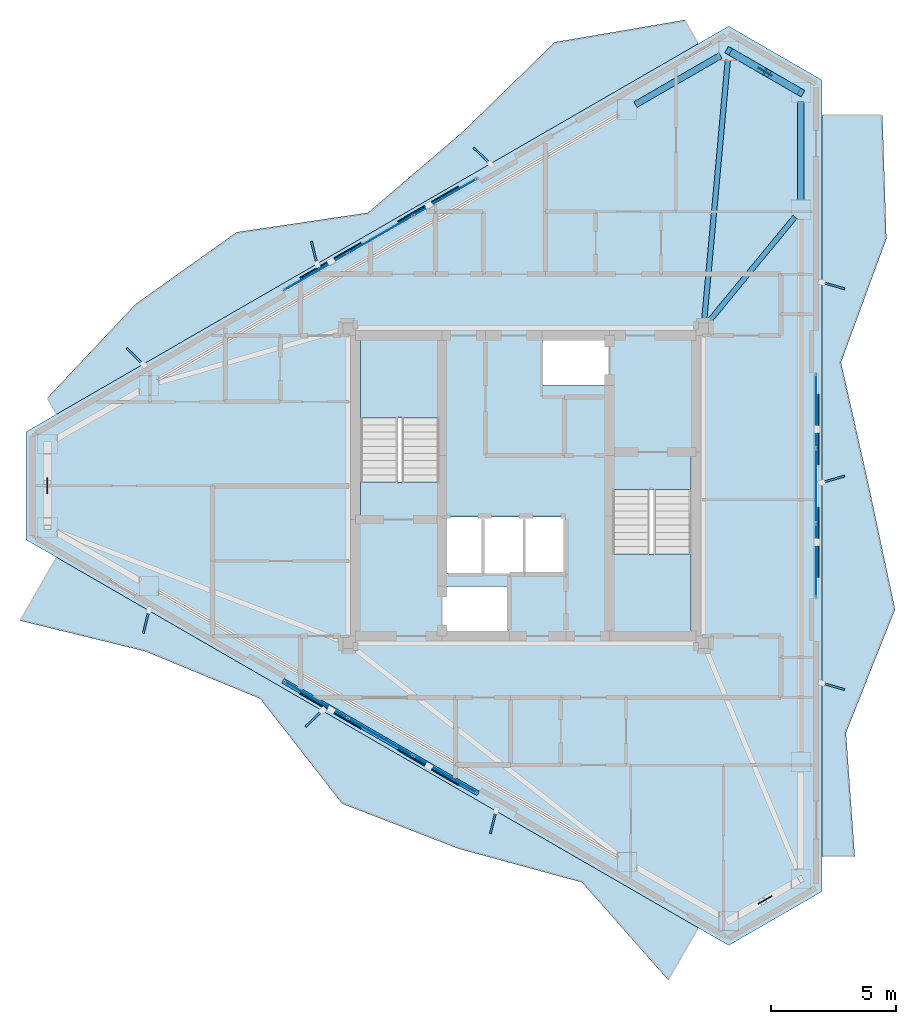
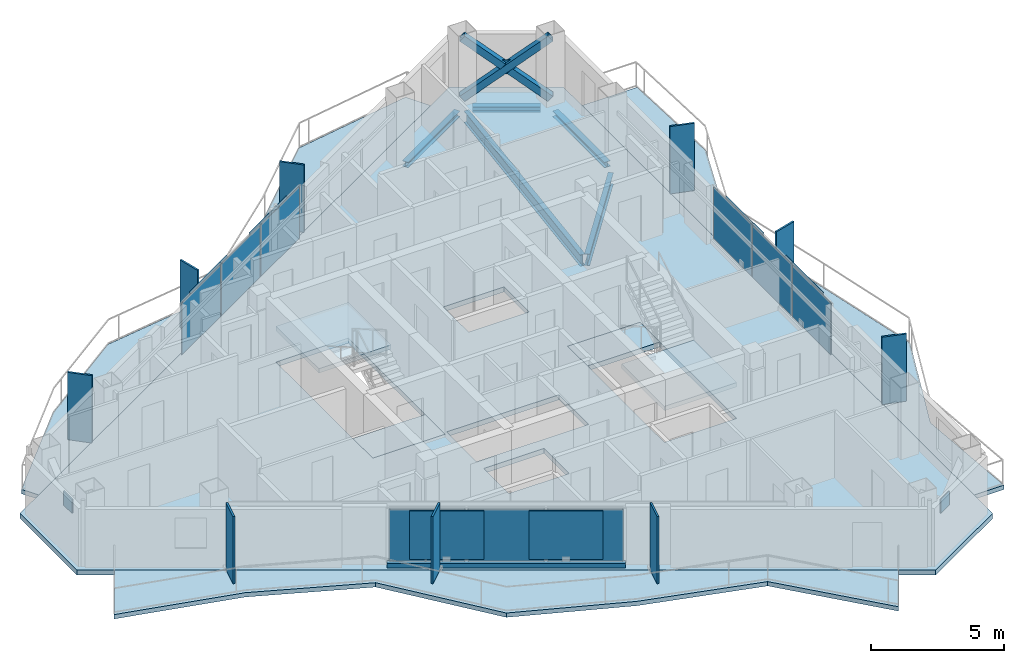
# One storey, part 15 of 22: 27 plates, 8 slabs, 5 beams, 3 members, 1 wall, 5 elements without a shape of their own.
"""IFC4 building model written with IfcOpenShell, lengths in metres."""

from ifc_helpers import new_model, si_unit, direction, frame, frame_2d, origin, origin_2d, place, context, subcontext, project, spatial, polyline, rectangle, hollow_rectangle, i_section, outline, extrude, material, layer, layer_set, material_profile, profile_set, type_object, element, aggregate, save


model = new_model("IFC4")

# Units and contexts
model_context = context("Model", 3, precision=1e-05, world=origin(), true_north=direction((0.0, 1.0)))
body_context = subcontext(model_context, "Body", "Model", "MODEL_VIEW")
ifc_project = project(units=[si_unit("LENGTHUNIT", "METRE"), si_unit("AREAUNIT", "SQUARE_METRE"), si_unit("VOLUMEUNIT", "CUBIC_METRE"), si_unit("PLANEANGLEUNIT", "RADIAN"), si_unit("MASSUNIT", "GRAM", prefix="KILO")], contexts=[model_context])

# Site, building, storey
site_placement = place(None, origin())
site = spatial("IfcSite", under=ifc_project, at=site_placement, CompositionType="ELEMENT")
building_placement = place(site_placement, origin())
building = spatial("IfcBuilding", under=site, at=building_placement, Name="Mersakhor Tower and Convention Hall", CompositionType="ELEMENT")
storey_placement = place(building_placement, frame((0.0, 0.0, 195.300048828125)))
storey = spatial("IfcBuildingStorey", under=building, at=storey_placement, Name="L54", CompositionType="ELEMENT", Elevation=195.300048828125)

# Beams
ifc_material_1 = material(Name="Steel S355", Category="steel")
ifc_material_profile_1 = material_profile(ifc_material_1, i_section(OverallWidth=0.2099609375, OverallDepth=0.53662109375, WebThickness=0.0107421875, FlangeThickness=0.017333984375, at=origin_2d()), Name="UB 533x210x101")
ifc_profile_set_1 = profile_set([ifc_material_profile_1], Name="Steel S355")
beam_type_1 = type_object("IfcBeamType", Name="BM-FB-533", PredefinedType="BEAM", material=ifc_profile_set_1)
beam_1_placement = place(storey_placement, frame((36.125244140625, 33.328857421875, -0.49853515625), z_axis=(0.090367269821, 0.99590850812, 0.0), x_axis=(-0.99590850812, 0.090367269821, 0.0)))
element("IfcBeam", 1, at=beam_1_placement, inside=storey, type_object=beam_type_1, Name="L54 Primary Floor Girder FG-2", PredefinedType="BEAM", context=body_context, shape_type="SweptSolid", body=[
    extrude(i_section(OverallWidth=0.2099609375, OverallDepth=0.53662109375, WebThickness=0.0107421875, FlangeThickness=0.017333984375, at=origin_2d()), origin(), (0.0, 0.0, 1.0), 10.45263671875),
])
beam_2_placement = place(storey_placement, frame((36.278076171875, 33.26611328125, -0.49853515625), z_axis=(0.635588076211, 0.772028365657, 0.0), x_axis=(-0.772028365657, 0.635588076211, 0.0)))
element("IfcBeam", 2, at=beam_2_placement, inside=storey, type_object=beam_type_1, Name="L54 Primary Floor Girder FG-3", PredefinedType="BEAM", context=body_context, shape_type="SweptSolid", body=[
    extrude(i_section(OverallWidth=0.2099609375, OverallDepth=0.53662109375, WebThickness=0.0107421875, FlangeThickness=0.017333984375, at=origin_2d()), origin(), (0.0, 0.0, 1.0), 5.45751953125),
])
ifc_material_2 = material(Name="Steel S355", Category="steel")
ifc_material_profile_2 = material_profile(ifc_material_2, i_section(OverallWidth=0.25634765625, OverallDepth=0.26025390625, WebThickness=0.01025390625, FlangeThickness=0.017333984375, at=origin_2d()), Name="UC 254x254x89")
ifc_profile_set_2 = profile_set([ifc_material_profile_2], Name="Steel S355")
beam_type_2 = type_object("IfcBeamType", Name="BM-SPD-UC254", PredefinedType="SPANDREL", material=ifc_profile_set_2)
beam_3_placement = place(storey_placement, frame((33.380859375, 41.967529296875, -0.360107421875), z_axis=(0.866007153761, 0.500031608635, 0.0), x_axis=(-0.500031608635, 0.866007153761, 0.0)))
element("IfcBeam", 3, at=beam_3_placement, inside=storey, type_object=beam_type_2, Name="L54 Perimeter Spandrel Beam SPB-03", PredefinedType="SPANDREL", context=body_context, shape_type="SweptSolid", body=[
    extrude(i_section(OverallWidth=0.25634765625, OverallDepth=0.26025390625, WebThickness=0.01025390625, FlangeThickness=0.017333984375, at=origin_2d()), origin(), (0.0, 0.0, 1.0), 3.919189453125),
])
beam_4_placement = place(storey_placement, frame((37.43310546875, 43.92724609375, -0.360107421875), z_axis=(0.866036909293, -0.499980071345, 0.0), x_axis=(0.499980071345, 0.866036909293, 0.0)))
element("IfcBeam", 4, at=beam_4_placement, inside=storey, type_object=beam_type_2, Name="L54 Perimeter Spandrel Beam SPB-04", PredefinedType="SPANDREL", context=body_context, shape_type="SweptSolid", body=[
    extrude(i_section(OverallWidth=0.25634765625, OverallDepth=0.26025390625, WebThickness=0.01025390625, FlangeThickness=0.017333984375, at=origin_2d()), origin(), (0.0, 0.0, 1.0), 2.5703125),
])
beam_5_placement = place(storey_placement, frame((39.98828125, 42.072021484375, -0.360107421875), z_axis=(0.0, -1.0, 0.0), x_axis=(1.0, 0.0, 0.0)))
element("IfcBeam", 5, at=beam_5_placement, inside=storey, type_object=beam_type_2, Name="L54 Perimeter Spandrel Beam SPB-05", PredefinedType="SPANDREL", context=body_context, shape_type="SweptSolid", body=[
    extrude(i_section(OverallWidth=0.25634765625, OverallDepth=0.26025390625, WebThickness=0.01025390625, FlangeThickness=0.017333984375, at=origin_2d()), origin(), (0.0, 0.0, 1.0), 3.919189453125),
])

# Members
ifc_material_3 = material(Name="Steel S355", Category="steel")
ifc_material_profile_3 = material_profile(ifc_material_3, hollow_rectangle(XDim=0.300048828125, YDim=0.300048828125, WallThickness=0.01611328125, at=origin_2d()), Name="SHS 300x300x16")
ifc_profile_set_3 = profile_set([ifc_material_profile_3], Name="Steel S355")
member_type = type_object("IfcMemberType", Name="MB-BRC-SHS300", PredefinedType="BRACE", material=ifc_profile_set_3)
member_placement = place(storey_placement, frame((37.10400390625, 44.1171875, 0.14990234375), z_axis=(0.665824923443, -0.384424564314, 0.639448923429), x_axis=(0.50001011158, 0.866019565782, 0.0)))
element("IfcMember", 6, at=member_placement, inside=storey, type_object=member_type, Name="L54 Chamfer Braced Frame Diagonal CB-1A", PredefinedType="BRACE", context=body_context, shape_type="SweptSolid", body=[
    extrude(hollow_rectangle(XDim=0.300048828125, YDim=0.300048828125, WallThickness=0.01611328125, at=origin_2d()), origin(), (0.0, 0.0, 1.0), 4.331787109375),
])
for number, where, z_axis, x_axis, name in (
    (7, (39.98828125, 42.451904296875, 0.14990234375), (-0.665711462011, 0.384476371073, 0.639535901599), (-0.500124558158, -0.865953478154, 0.0), "L54 Chamfer Braced Frame Diagonal CB-1B Lower Half"),
    (8, (38.439208984375, 43.34619140625, 1.6376953125), (-0.665831077073, 0.384475140135, 0.639412107659), (-0.50005597947, -0.86599308161, 0.0), "L54 Chamfer Braced Frame Diagonal CB-1B Upper Half"),
):
    element("IfcMember", number, at=place(storey_placement, frame(where, z_axis=z_axis, x_axis=x_axis)), inside=storey, type_object=member_type, Name=name, PredefinedType="BRACE", context=body_context, shape_type="SweptSolid", body=[
        extrude(hollow_rectangle(XDim=0.300048828125, YDim=0.300048828125, WallThickness=0.01611328125, at=origin_2d()), origin(), (0.0, 0.0, 1.0), 2.00537109375),
    ])

# Curtain wall, plates
ifc_material_4 = material(Name="Dark solar low-E aluminium curtain wall", Category="aluminium")
ifc_layer_1 = layer(ifc_material_4, 0.169921875)
ifc_layer_set_1 = layer_set([ifc_layer_1], Name="Dark solar low-E aluminium curtain wall")
curtain_wall_type = type_object("IfcCurtainWallType", Name="CW-SYS-02", PredefinedType="USERDEFINED", material=ifc_layer_set_1)
curtain_wall_1_placement = place(storey_placement, origin())
curtain_wall_1 = element("IfcCurtainWall", 9, at=curtain_wall_1_placement, inside=storey, type_object=curtain_wall_type, Name="L54 Dark-Glass Curtain Wall F1-B2", ObjectType="CURTAIN WALL", PredefinedType="USERDEFINED")
ifc_material_5 = material(Name="Dark solar double glazing", Category="glass")
ifc_layer_2 = layer(ifc_material_5, 0.028076171875)
ifc_layer_set_2 = layer_set([ifc_layer_2], Name="Dark solar double glazing")
plate_type_1 = type_object("IfcPlateType", Name="CWP-GLZ-28", PredefinedType="CURTAIN_PANEL", material=ifc_layer_set_2)
plate_1_placement = place(storey_placement, frame((20.624267578125, 35.29541015625, 0.260009765625), z_axis=(0.0, 0.0, 1.0), x_axis=(0.86602088627, 0.500007824483, 0.0)))
plate_1 = element("IfcPlate", 10, at=plate_1_placement, type_object=plate_type_1, Name="CW-02 panel 1.1", PredefinedType="CURTAIN_PANEL", context=body_context, shape_type="SweptSolid", body=[
    extrude(rectangle(XDim=2.88720703125, YDim=0.028076171875, at=origin_2d()), origin(), (0.0, 0.0, 1.0), 2.3701171875),
])
plate_2_placement = place(storey_placement, frame((23.205810546875, 36.785888671875, 0.260009765625), z_axis=(0.0, 0.0, 1.0), x_axis=(0.86602088627, 0.500007824483, 0.0)))
plate_2 = element("IfcPlate", 11, at=plate_2_placement, type_object=plate_type_1, Name="CW-02 panel 2.1", PredefinedType="CURTAIN_PANEL", context=body_context, shape_type="SweptSolid", body=[
    extrude(rectangle(XDim=2.924560546875, YDim=0.028076171875, at=origin_2d()), origin(), (0.0, 0.0, 1.0), 2.3701171875),
])
plate_3_placement = place(storey_placement, frame((25.787353515625, 38.2763671875, 0.260009765625), z_axis=(0.0, 0.0, 1.0), x_axis=(0.86602088627, 0.500007824483, 0.0)))
plate_3 = element("IfcPlate", 12, at=plate_3_placement, type_object=plate_type_1, Name="CW-02 panel 3.1", PredefinedType="CURTAIN_PANEL", context=body_context, shape_type="SweptSolid", body=[
    extrude(rectangle(XDim=2.88720703125, YDim=0.028076171875, at=origin_2d()), origin(), (0.0, 0.0, 1.0), 2.3701171875),
])
aggregate(curtain_wall_1, [plate_1, plate_2, plate_3])

curtain_wall_2_placement = place(storey_placement, origin())
curtain_wall_2 = element("IfcCurtainWall", 13, at=curtain_wall_2_placement, inside=storey, type_object=curtain_wall_type, Name="L54 Dark-Glass Curtain Wall F2-B2", ObjectType="CURTAIN WALL", PredefinedType="USERDEFINED")
plate_4_placement = place(storey_placement, frame((40.58837890625, 29.73095703125, 0.260009765625), z_axis=(0.0, 0.0, 1.0), x_axis=(0.0, -1.0, 0.0)))
plate_4 = element("IfcPlate", 14, at=plate_4_placement, type_object=plate_type_1, Name="CW-02 panel 1.1", PredefinedType="CURTAIN_PANEL", context=body_context, shape_type="SweptSolid", body=[
    extrude(rectangle(XDim=2.88720703125, YDim=0.028076171875, at=origin_2d()), origin(), (0.0, 0.0, 1.0), 2.3701171875),
])
plate_5_placement = place(storey_placement, frame((40.58837890625, 26.75, 0.260009765625), z_axis=(0.0, 0.0, 1.0), x_axis=(0.0, -1.0, 0.0)))
plate_5 = element("IfcPlate", 15, at=plate_5_placement, type_object=plate_type_1, Name="CW-02 panel 2.1", PredefinedType="CURTAIN_PANEL", context=body_context, shape_type="SweptSolid", body=[
    extrude(rectangle(XDim=2.924560546875, YDim=0.028076171875, at=origin_2d()), origin(), (0.0, 0.0, 1.0), 2.3701171875),
])
plate_6_placement = place(storey_placement, frame((40.58837890625, 23.76904296875, 0.260009765625), z_axis=(0.0, 0.0, 1.0), x_axis=(0.0, -1.0, 0.0)))
plate_6 = element("IfcPlate", 16, at=plate_6_placement, type_object=plate_type_1, Name="CW-02 panel 3.1", PredefinedType="CURTAIN_PANEL", context=body_context, shape_type="SweptSolid", body=[
    extrude(rectangle(XDim=2.88720703125, YDim=0.028076171875, at=origin_2d()), origin(), (0.0, 0.0, 1.0), 2.3701171875),
])
aggregate(curtain_wall_2, [plate_4, plate_5, plate_6])

curtain_wall_3_placement = place(storey_placement, origin())
curtain_wall_3 = element("IfcCurtainWall", 17, at=curtain_wall_3_placement, inside=storey, type_object=curtain_wall_type, Name="L54 Dark-Glass Curtain Wall F3-B2", ObjectType="CURTAIN WALL", PredefinedType="USERDEFINED")
plate_7_placement = place(storey_placement, frame((25.787353515625, 15.2236328125, 0.260009765625), z_axis=(0.0, 0.0, 1.0), x_axis=(-0.86602088627, 0.500007824483, 0.0)))
plate_7 = element("IfcPlate", 18, at=plate_7_placement, type_object=plate_type_1, Name="CW-02 panel 1.1", PredefinedType="CURTAIN_PANEL", context=body_context, shape_type="SweptSolid", body=[
    extrude(rectangle(XDim=2.88720703125, YDim=0.028076171875, at=origin_2d()), origin(), (0.0, 0.0, 1.0), 2.3701171875),
])
plate_8_placement = place(storey_placement, frame((23.205810546875, 16.714111328125, 0.260009765625), z_axis=(0.0, 0.0, 1.0), x_axis=(-0.86602088627, 0.500007824483, 0.0)))
plate_8 = element("IfcPlate", 19, at=plate_8_placement, type_object=plate_type_1, Name="CW-02 panel 2.1", PredefinedType="CURTAIN_PANEL", context=body_context, shape_type="SweptSolid", body=[
    extrude(rectangle(XDim=2.924560546875, YDim=0.028076171875, at=origin_2d()), origin(), (0.0, 0.0, 1.0), 2.3701171875),
])
plate_9_placement = place(storey_placement, frame((20.624267578125, 18.20458984375, 0.260009765625), z_axis=(0.0, 0.0, 1.0), x_axis=(-0.86602088627, 0.500007824483, 0.0)))
plate_9 = element("IfcPlate", 20, at=plate_9_placement, type_object=plate_type_1, Name="CW-02 panel 3.1", PredefinedType="CURTAIN_PANEL", context=body_context, shape_type="SweptSolid", body=[
    extrude(rectangle(XDim=2.88720703125, YDim=0.028076171875, at=origin_2d()), origin(), (0.0, 0.0, 1.0), 2.3701171875),
])
aggregate(curtain_wall_3, [plate_7, plate_8, plate_9])

# Plates
ifc_material_6 = material(Name="Ceramic-clad aluminium Zone 4 terracotta-coral", Category="masonry")
ifc_material_7 = material(Name="Ceramic-clad aluminium Zone 1 cobalt-slate", Category="masonry")
ifc_layer_3 = layer(ifc_material_7, 0.080078125)
ifc_layer_set_3 = layer_set([ifc_layer_3], Name="Ceramic-clad aluminium Zone 1 cobalt-slate")
plate_type_2 = type_object("IfcPlateType", Name="PL-FIN-80", PredefinedType="USERDEFINED", material=ifc_layer_set_3)
for number, where, z_axis, x_axis, name in (
    (21, (13.40234375, 31.918701171875, 0.0), (0.0, 0.0, 1.0), (-0.719339800339, 0.694658370459, 0.0), "L54 Zone 4 Coloured Brise-Soleil Fin F1-1"),
    (22, (20.557373046875, 36.049560546875, 0.0), (0.0, 0.0, 1.0), (-0.2419218956, 0.970295726276, 0.0), "L54 Zone 4 Coloured Brise-Soleil Fin F1-2"),
    (23, (27.2587890625, 39.918701171875, 0.0), (0.0, 0.0, 1.0), (-0.719339800339, 0.694658370459, 0.0), "L54 Zone 4 Coloured Brise-Soleil Fin F1-3"),
    (24, (41.27490234375, 34.7451171875, 0.0), (0.0, 0.0, 1.0), (0.961261695938, -0.275637355817, 0.0), "L54 Zone 4 Coloured Brise-Soleil Fin F2-1"),
    (25, (41.27490234375, 27.007080078125, 0.0), (0.0, 0.0, 1.0), (0.961261695938, 0.275637355817, 0.0), "L54 Zone 4 Coloured Brise-Soleil Fin F2-2"),
    (26, (41.27490234375, 18.7451171875, 0.0), (0.0, 0.0, 1.0), (0.961261695938, -0.275637355817, 0.0), "L54 Zone 4 Coloured Brise-Soleil Fin F2-3"),
    (27, (27.703857421875, 13.324462890625, 0.0), (0.0, 0.0, 1.0), (-0.2419218956, -0.970295726276, 0.0), "L54 Zone 4 Coloured Brise-Soleil Fin F3-1"),
    (28, (20.548828125, 17.455322265625, 0.0), (0.0, 0.0, 1.0), (-0.719339800339, -0.694658370459, 0.0), "L54 Zone 4 Coloured Brise-Soleil Fin F3-2"),
    (29, (13.847412109375, 21.324462890625, 0.0), (0.0, 0.0, 1.0), (-0.2419218956, -0.970295726276, 0.0), "L54 Zone 4 Coloured Brise-Soleil Fin F3-3"),
):
    element("IfcPlate", number, at=place(storey_placement, frame(where, z_axis=z_axis, x_axis=x_axis)), inside=storey, type_object=plate_type_2, material=ifc_material_6, Name=name, ObjectType="FIN", PredefinedType="USERDEFINED", context=body_context, shape_type="SweptSolid", body=[
        extrude(rectangle(XDim=0.949951171875, YDim=0.080078125, at=origin_2d()), origin(), (0.0, 0.0, 1.0), 3.10009765625),
    ])
ifc_material_8 = material(Name="Steel S460", Category="steel")
ifc_layer_4 = layer(ifc_material_8, 0.0400390625)
ifc_layer_set_4 = layer_set([ifc_layer_4], Name="Steel S460")
plate_type_3 = type_object("IfcPlateType", Name="PL-GUSSET-40", PredefinedType="SHEET", material=ifc_layer_set_4)
for number, where, z_axis, x_axis, name in (
    (30, (38.54638671875, 43.28466796875, 1.21484375), (0.0, 0.0, 1.0), (-0.866025403784, 0.5, 0.0), "L54 X-Brace Crossing Gusset Node Plate"),
    (31, (38.54638671875, 10.21533203125, 1.21484375), (0.0, 0.0, 1.0), (0.866025403784, 0.5, 0.0), "L54 X-Brace Crossing Gusset Node Plate"),
    (32, (9.907470703125, 26.75, 1.21484375), (0.0, 0.0, 1.0), (0.0, -1.0, 0.0), "L54 X-Brace Crossing Gusset Node Plate"),
):
    element("IfcPlate", number, at=place(storey_placement, frame(where, z_axis=z_axis, x_axis=x_axis)), inside=storey, type_object=plate_type_3, Name=name, PredefinedType="SHEET", context=body_context, shape_type="SweptSolid", body=[
        extrude(rectangle(XDim=0.639892578125, YDim=0.0400390625, at=origin_2d()), origin(), (0.0, 0.0, 1.0), 0.639892578125),
    ])
ifc_material_9 = material(Name="Perforated ceramic cobogo solar screen", Category="aluminium")
ifc_layer_5 = layer(ifc_material_9, 0.048095703125)
ifc_layer_set_5 = layer_set([ifc_layer_5], Name="Perforated ceramic cobogo solar screen")
plate_type_4 = type_object("IfcPlateType", Name="PL-SCR-48", PredefinedType="USERDEFINED", material=ifc_layer_set_5)
for number, where, z_axis, x_axis, name in (
    (33, (21.21044921875, 35.742431640625, 0.39990234375), (0.0, 0.0, 1.0), (0.866025403784, 0.5, 0.0), "L54 Perforated Ceramic Solar Screen F1-1"),
    (34, (25.107177734375, 37.9921875, 0.39990234375), (0.0, 0.0, 1.0), (0.866025403784, 0.5, 0.0), "L54 Perforated Ceramic Solar Screen F1-2"),
    (35, (40.682373046875, 28.999755859375, 0.39990234375), (0.0, 0.0, 1.0), (0.0, -1.0, 0.0), "L54 Perforated Ceramic Solar Screen F2-1"),
    (36, (40.682373046875, 24.500244140625, 0.39990234375), (0.0, 0.0, 1.0), (0.0, -1.0, 0.0), "L54 Perforated Ceramic Solar Screen F2-2"),
    (37, (25.107177734375, 15.5078125, 0.39990234375), (0.0, 0.0, 1.0), (-0.866025403784, 0.5, 0.0), "L54 Perforated Ceramic Solar Screen F3-1"),
    (38, (21.21044921875, 17.757568359375, 0.39990234375), (0.0, 0.0, 1.0), (-0.866025403784, 0.5, 0.0), "L54 Perforated Ceramic Solar Screen F3-2"),
):
    element("IfcPlate", number, at=place(storey_placement, frame(where, z_axis=z_axis, x_axis=x_axis)), inside=storey, type_object=plate_type_4, Name=name, ObjectType="SCREEN", PredefinedType="USERDEFINED", context=body_context, shape_type="SweptSolid", body=[
        extrude(rectangle(XDim=2.800048828125, YDim=0.048095703125, at=origin_2d()), origin(), (0.0, 0.0, 1.0), 2.239990234375),
    ])

# Slabs
ifc_material_10 = material(Name="Concrete C45/55", Category="concrete")
ifc_layer_6 = layer(ifc_material_10, 0.199951171875)
ifc_layer_set_6 = layer_set([ifc_layer_6], Name="Concrete C45/55")
slab_type_1 = type_object("IfcSlabType", Name="SL-BAL-200", PredefinedType="FLOOR", material=ifc_layer_set_6)
slab_1_placement = place(storey_placement, frame((0.0, 0.0, -0.199951171875)))
element("IfcSlab", 39, at=slab_1_placement, inside=storey, type_object=slab_type_1, Name="L54 Sinusoidal Balcony Slab Face 1", PredefinedType="FLOOR", context=body_context, shape_type="SweptSolid", body=[
    extrude(outline(polyline([(10.27001953125, 29.60595703125), (35.8916015625, 44.398681640625), (35.344482421875, 45.346435546875), (30.161376953125, 44.4619140625), (26.5166015625, 40.9130859375), (22.705810546875, 37.65185546875), (17.460205078125, 36.875732421875), (13.424072265625, 34.0048828125), (9.89501953125, 30.255615234375), (10.27001953125, 29.60595703125)])), origin(), (0.0, 0.0, 1.0), 0.199951171875),
])
slab_2_placement = place(storey_placement, frame((0.0, 0.0, -0.199951171875)))
element("IfcSlab", 40, at=slab_2_placement, inside=storey, type_object=slab_type_1, Name="L54 Sinusoidal Balcony Slab Face 2", PredefinedType="FLOOR", context=body_context, shape_type="SweptSolid", body=[
    extrude(outline(polyline([(40.83837890625, 41.542724609375), (40.83837890625, 11.957275390625), (42.139892578125, 11.957275390625), (41.786865234375, 16.88818359375), (43.74560546875, 21.819091796875), (42.6982421875, 26.75), (41.58837890625, 31.680908203125), (43.40087890625, 36.61181640625), (43.243408203125, 41.542724609375), (40.83837890625, 41.542724609375)])), origin(), (0.0, 0.0, 1.0), 0.199951171875),
])
slab_3_placement = place(storey_placement, frame((0.0, 0.0, -0.199951171875)))
element("IfcSlab", 41, at=slab_3_placement, inside=storey, type_object=slab_type_1, Name="L54 Sinusoidal Balcony Slab Face 3", PredefinedType="FLOOR", context=body_context, shape_type="SweptSolid", body=[
    extrude(outline(polyline([(35.8916015625, 9.101318359375), (10.27001953125, 23.89404296875), (8.809814453125, 21.365234375), (13.799560546875, 20.145751953125), (18.398681640625, 18.249755859375), (21.672607421875, 14.058349609375), (26.326416015625, 12.257568359375), (31.246337890625, 10.917236328125), (34.689208984375, 7.0185546875), (35.8916015625, 9.101318359375)])), origin(), (0.0, 0.0, 1.0), 0.199951171875),
])
ifc_material_11 = material(Name="Concrete C40/50", Category="concrete")
ifc_layer_7 = layer(ifc_material_11, 0.22998046875)
ifc_layer_set_7 = layer_set([ifc_layer_7], Name="Concrete C40/50")
slab_type_2 = type_object("IfcSlabType", Name="SL-FLR-230", PredefinedType="FLOOR", material=ifc_layer_set_7)
slab_4_placement = place(storey_placement, frame((0.0, 0.0, -0.22998046875)))
element("IfcSlab", 42, at=slab_4_placement, inside=storey, type_object=slab_type_2, Name="L54 ST-1 Structural Stair Floor Landing", PredefinedType="LANDING", context=body_context, shape_type="SweptSolid", body=[
    extrude(outline(polyline([(25.550048828125, 25.39990234375), (25.550048828125, 26.89990234375), (22.39990234375, 26.89990234375), (22.39990234375, 25.39990234375), (25.550048828125, 25.39990234375)])), origin(), (0.0, 0.0, 1.0), 0.22998046875),
])
slab_5_placement = place(storey_placement, frame((0.0, 0.0, -0.22998046875)))
element("IfcSlab", 43, at=slab_5_placement, inside=storey, type_object=slab_type_2, Name="L54 ST-2 Structural Stair Floor Landing", PredefinedType="LANDING", context=body_context, shape_type="SweptSolid", body=[
    extrude(outline(polyline([(32.449951171875, 28.10009765625), (32.449951171875, 26.60009765625), (35.60009765625, 26.60009765625), (35.60009765625, 28.10009765625), (32.449951171875, 28.10009765625)])), origin(), (0.0, 0.0, 1.0), 0.22998046875),
])
slab_6_placement = place(storey_placement, frame((0.0, 0.0, -0.22998046875)))
element("IfcSlab", 44, at=slab_6_placement, inside=storey, type_object=slab_type_2, Name="Tower L54 Structural Floor Slab", PredefinedType="FLOOR", context=body_context, shape_type="SweptSolid", body=[
    extrude(outline(polyline([(9.0576171875, 28.906005859375), (37.10400390625, 45.0986328125), (40.83837890625, 42.942626953125), (40.83837890625, 10.557373046875), (37.10400390625, 8.4013671875), (9.0576171875, 24.593994140625), (9.0576171875, 28.906005859375)]), holes=[polyline([(25.550048828125, 25.39990234375), (25.550048828125, 32.699951171875), (22.39990234375, 32.699951171875), (22.39990234375, 25.39990234375), (25.550048828125, 25.39990234375)]), polyline([(32.449951171875, 28.10009765625), (32.449951171875, 20.800048828125), (35.60009765625, 20.800048828125), (35.60009765625, 28.10009765625), (32.449951171875, 28.10009765625)]), polyline([(25.679931640625, 20.820068359375), (25.679931640625, 22.719970703125), (28.320068359375, 22.719970703125), (28.320068359375, 20.820068359375), (25.679931640625, 20.820068359375)]), polyline([(29.679931640625, 30.780029296875), (29.679931640625, 32.679931640625), (32.320068359375, 32.679931640625), (32.320068359375, 30.780029296875), (29.679931640625, 30.780029296875)]), polyline([(25.679931640625, 23.25), (25.679931640625, 25.5), (30.570068359375, 25.5), (30.570068359375, 23.25), (25.679931640625, 23.25)])]), origin(), (0.0, 0.0, 1.0), 0.22998046875),
])

# Stair, slab
ifc_material_12 = material(Name="Concrete C45/55", Category="concrete")
stair_type = type_object("IfcStairType", Name="ST-TWR-20R", PredefinedType="HALF_TURN_STAIR", material=ifc_material_12)
stair_1_placement = place(storey_placement, origin())
stair_1 = element("IfcStair", 45, at=stair_1_placement, inside=storey, type_object=stair_type, Name="L54 Tower Protected Exit Stair ST-1", PredefinedType="HALF_TURN_STAIR")
ifc_material_13 = material(Name="Concrete C45/55", Category="concrete")
ifc_layer_8 = layer(ifc_material_13, 0.199951171875)
ifc_layer_set_8 = layer_set([ifc_layer_8], Name="Concrete C45/55")
slab_type_3 = type_object("IfcSlabType", Name="SL-LAND-200", PredefinedType="LANDING", material=ifc_layer_set_8)
slab_7_placement = place(storey_placement, frame((0.0, 0.0, 1.449951171875)))
slab_7 = element("IfcSlab", 46, at=slab_7_placement, type_object=slab_type_3, Name="ST-1 landing 1", PredefinedType="LANDING", context=body_context, shape_type="SweptSolid", body=[
    extrude(outline(polyline([(25.550048828125, 29.465087890625), (25.550048828125, 32.699951171875), (22.39990234375, 32.699951171875), (22.39990234375, 29.465087890625), (25.550048828125, 29.465087890625)])), origin(), (0.0, 0.0, 1.0), 0.199951171875),
])
aggregate(stair_1, [slab_7])

stair_2_placement = place(storey_placement, origin())
stair_2 = element("IfcStair", 47, at=stair_2_placement, inside=storey, type_object=stair_type, Name="L54 Tower Protected Exit Stair ST-2", PredefinedType="HALF_TURN_STAIR")
slab_8_placement = place(storey_placement, frame((0.0, 0.0, 1.449951171875)))
slab_8 = element("IfcSlab", 48, at=slab_8_placement, type_object=slab_type_3, Name="ST-2 landing 1", PredefinedType="LANDING", context=body_context, shape_type="SweptSolid", body=[
    extrude(outline(polyline([(32.449951171875, 24.034912109375), (32.449951171875, 20.800048828125), (35.60009765625, 20.800048828125), (35.60009765625, 24.034912109375), (32.449951171875, 24.034912109375)])), origin(), (0.0, 0.0, 1.0), 0.199951171875),
])
aggregate(stair_2, [slab_8])

# Wall
ifc_material_14 = material(Name="Precast concrete C40/50", Category="concrete")
ifc_layer_9 = layer(ifc_material_14, 0.199951171875)
ifc_layer_set_9 = layer_set([ifc_layer_9], Name="Precast concrete C40/50")
wall_type = type_object("IfcWallType", Name="WL-PAR-200", PredefinedType="PARAPET", material=ifc_layer_set_9)
wall_placement = place(storey_placement, frame((27.102294921875, 14.46435546875, 0.0), z_axis=(0.0, 0.0, 1.0), x_axis=(-0.866020680503, 0.500008180874, 0.0)))
element("IfcWall", 49, at=wall_placement, inside=storey, type_object=wall_type, Name="L54 Curtain Wall Upstand Sill F3-B2", PredefinedType="PARAPET", context=body_context, shape_type="SweptSolid", body=[
    extrude(rectangle(XDim=8.998779296875, YDim=0.199951171875, at=frame_2d((4.49951171875, 0.0))), origin(), (0.0, 0.0, 1.0), 0.199951171875),
])

save(model, "model.ifc")
